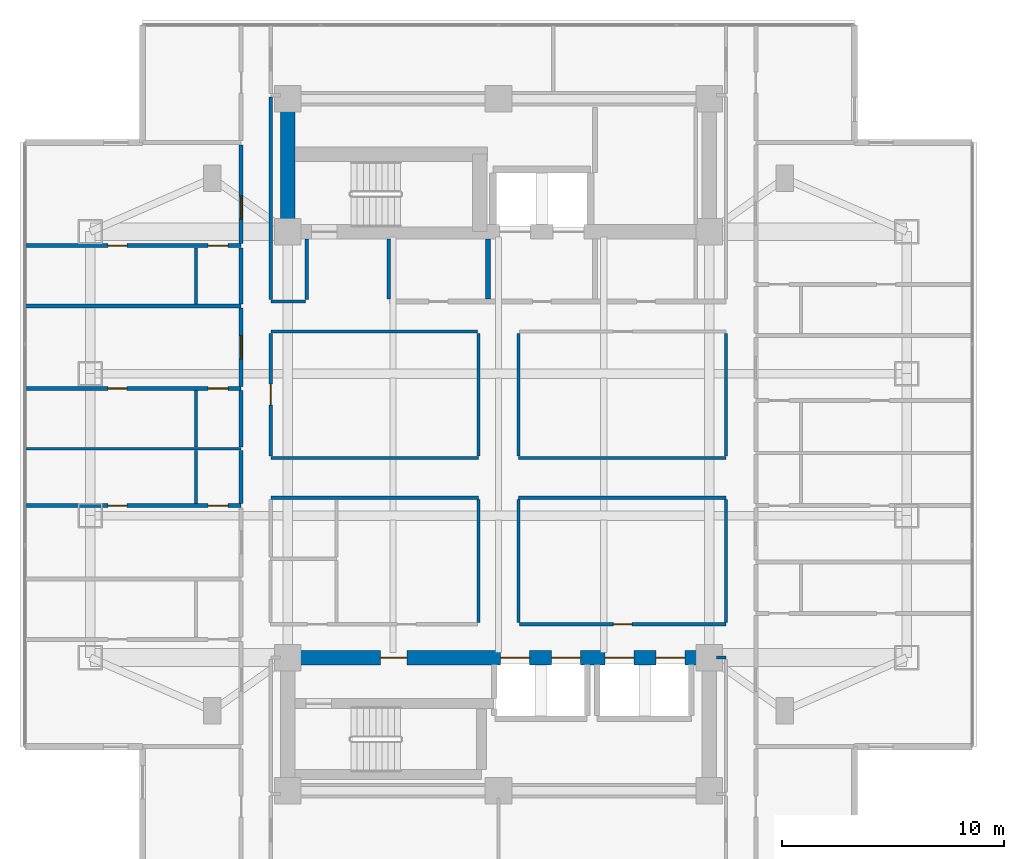
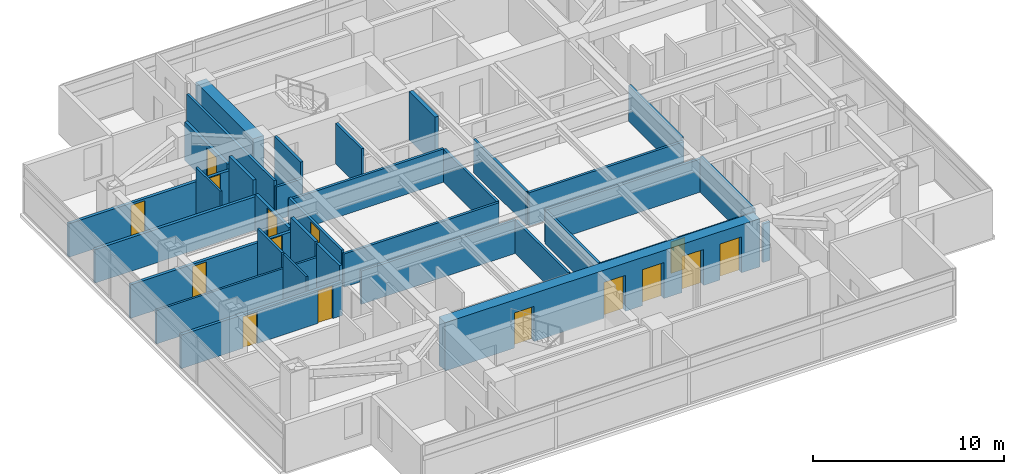
# One storey, part 13 of 24: 34 walls, 15 doors, 15 openings.
"""IFC4 building model written with IfcOpenShell, lengths in metres."""

import ifcopenshell
import ifcopenshell.guid

model = None  # the IFC model being written
_history = None  # IfcOwnerHistory: only IFC2X3 demands one
_inside = {}  # id of a spatial element -> (the spatial element, [elements in it])
_under = {}  # id of a project, library or spatial element -> (it, [spatial elements below it])
_declared = {}  # id of a project -> (the project, [libraries it declares])
_typed = {}  # id of a type object -> (the type object, [elements of that type])
_made_of = {}  # id of a material, layer set ... -> (it, [elements and type objects made of it])


def new_model(schema):
    """Start an empty IFC model of exactly this schema.

    Asked for "IFC4X3", IfcOpenShell would pick the latest addendum, in which some entities
    have other attributes; the version numbers below select the first issue.
    IFC2X3 requires an IfcOwnerHistory on every rooted entity: one is made here for all.
    """
    global model, _history
    if schema == "IFC4X3":
        model = ifcopenshell.file(schema_version=(4, 3, 0, 0))
    else:
        model = ifcopenshell.file(schema=schema)
    _inside.clear()
    _under.clear()
    _declared.clear()
    _typed.clear()
    _made_of.clear()
    _history = None
    if model.schema == "IFC2X3":
        org = make("IfcOrganization", Name="unknown")
        user = make(
            "IfcPersonAndOrganization",
            ThePerson=make("IfcPerson", FamilyName="unknown"),
            TheOrganization=org,
        )
        app = make(
            "IfcApplication",
            ApplicationDeveloper=org,
            Version="unknown",
            ApplicationFullName="unknown",
            ApplicationIdentifier="unknown",
        )
        _history = make(
            "IfcOwnerHistory",
            OwningUser=user,
            OwningApplication=app,
            ChangeAction="ADDED",
            CreationDate=0,
        )
    return model


def make(cls, **values):
    """One entity of the class cls with the attributes given. An attribute that is None is left unset."""
    return model.create_entity(
        cls, **{name: value for name, value in values.items() if value is not None}
    )


def rooted(cls, **values):
    """An entity with a GlobalId (a new one), such as an element, a storey or a relation."""
    return make(cls, GlobalId=ifcopenshell.guid.new(), OwnerHistory=_history, **values)


def si_unit(unit_type, name, prefix=None):
    """IfcSIUnit, for example si_unit("LENGTHUNIT", "METRE", prefix="MILLI")."""
    return make("IfcSIUnit", UnitType=unit_type, Prefix=prefix, Name=name)


def assignment(units):
    """IfcUnitAssignment: the units of a project."""
    return None if units is None else make("IfcUnitAssignment", Units=units)


def point(xyz):
    """IfcCartesianPoint."""
    return None if xyz is None else make("IfcCartesianPoint", Coordinates=xyz)


def direction(xyz):
    """IfcDirection."""
    return None if xyz is None else make("IfcDirection", DirectionRatios=xyz)


def frame(location, z_axis=None, x_axis=None):
    """IfcAxis2Placement3D, a coordinate frame: its origin and axes. An axis left out is left unset."""
    return make(
        "IfcAxis2Placement3D",
        Location=point(location),
        Axis=direction(z_axis),
        RefDirection=direction(x_axis),
    )


def frame_2d(location, x_axis=None):
    """IfcAxis2Placement2D, a coordinate frame in the plane: its origin and x axis."""
    return make(
        "IfcAxis2Placement2D", Location=point(location), RefDirection=direction(x_axis)
    )


def origin():
    """The frame at (0, 0, 0) with its axes left unset."""
    return frame((0.0, 0.0, 0.0))


def place(relative_to, where):
    """IfcLocalPlacement: puts the frame where relative to a parent placement (None: the world)."""
    return make(
        "IfcLocalPlacement", PlacementRelTo=relative_to, RelativePlacement=where
    )


def context(
    kind, dimensions, precision=None, world=None, true_north=None, identifier=None
):
    """IfcGeometricRepresentationContext, for example the 3D "Model" context."""
    return make(
        "IfcGeometricRepresentationContext",
        ContextIdentifier=identifier,
        ContextType=kind,
        CoordinateSpaceDimension=dimensions,
        Precision=precision,
        WorldCoordinateSystem=world,
        TrueNorth=true_north,
    )


def subcontext(parent, identifier, kind, view, scale=None):
    """IfcGeometricRepresentationSubContext, for example "Body" below "Model"."""
    return make(
        "IfcGeometricRepresentationSubContext",
        ContextIdentifier=identifier,
        ContextType=kind,
        ParentContext=parent,
        TargetScale=scale,
        TargetView=view,
    )


def project(units=None, contexts=None):
    """IfcProject with its units and contexts."""
    return rooted(
        "IfcProject",
        Name="project",
        RepresentationContexts=contexts,
        UnitsInContext=assignment(units),
    )


def spatial(cls, under=None, at=None, **own):
    """A site, building, storey or space (cls), placed at a placement, below another one or the project."""
    s = rooted(cls, ObjectPlacement=at, **own)
    if under is not None:
        _under.setdefault(under.id(), (under, []))[1].append(s)
    return s


def profile(cls, at=None, kind="AREA", **sizes):
    """A parametric profile (cls). Its sizes go by their IFC names, for example OverallWidth=200.0."""
    return make(cls, ProfileType=kind, Position=at, **sizes)


def rectangle(**sizes):
    """IfcRectangleProfileDef."""
    return profile("IfcRectangleProfileDef", **sizes)


def extrude(swept, where, along, depth):
    """IfcExtrudedAreaSolid: the profile swept, set in the frame where, extruded along a direction by depth."""
    return make(
        "IfcExtrudedAreaSolid",
        SweptArea=swept,
        Position=where,
        ExtrudedDirection=direction(along),
        Depth=depth,
    )


def shape(context_of_items, identifier, shape_type, items):
    """IfcShapeRepresentation: the items that make up one representation, for example the "Body"."""
    return make(
        "IfcShapeRepresentation",
        ContextOfItems=context_of_items,
        RepresentationIdentifier=identifier,
        RepresentationType=shape_type,
        Items=items,
    )


def material(Name=None, Category=None):
    """IfcMaterial."""
    return make("IfcMaterial", Name=Name, Category=Category)


def layer(
    of_material, thickness, ventilated=None, Name=None, Category=None, Priority=None
):
    """IfcMaterialLayer: one layer of a wall or slab, of a material (None: an air gap)."""
    return make(
        "IfcMaterialLayer",
        Material=of_material,
        LayerThickness=thickness,
        IsVentilated=ventilated,
        Name=Name,
        Category=Category,
        Priority=Priority,
    )


def layer_set(layers, Name=None):
    """IfcMaterialLayerSet."""
    return make("IfcMaterialLayerSet", MaterialLayers=layers, LayerSetName=Name)


def made_of(thing, what):
    """Note that an element or type object is made of a material, layer set ...; save() writes the relation."""
    if what is not None:
        _made_of.setdefault(what.id(), (what, []))[1].append(thing)
    return thing


def type_object(cls, material=None, **own):
    """A type object (cls), such as IfcWallType, which elements share."""
    return made_of(rooted(cls, **own), material)


def element(
    cls,
    number,
    at=None,
    inside=None,
    cuts=None,
    type_object=None,
    material=None,
    context=None,
    identifier="Body",
    shape_type=None,
    held_by="IfcProductDefinitionShape",
    body=None,
    shapes=None,
    **own,
):
    """One element of the class cls, such as IfcWall. Its Tag is "e" and its number.

    at: its placement. inside: the storey or other place that contains it. cuts: it is an
    opening in that element (IfcRelVoidsElement). A single representation is given by context,
    identifier, shape_type and body (its items); several are given by shapes. held_by: the class
    of the entity that holds the representations. save() writes the other relations.
    """
    e = rooted(cls, Tag="e%d" % number, ObjectPlacement=at, **own)
    if body is not None:
        shapes = [shape(context, identifier, shape_type, body)]
    if shapes is not None:
        e.Representation = make(held_by, Representations=shapes)
    if inside is not None:
        _inside.setdefault(inside.id(), (inside, []))[1].append(e)
    if cuts is not None:
        rooted(
            "IfcRelVoidsElement", RelatingBuildingElement=cuts, RelatedOpeningElement=e
        )
    if type_object is not None:
        _typed.setdefault(type_object.id(), (type_object, []))[1].append(e)
    return made_of(e, material)


def fill(opening, filler):
    """IfcRelFillsElement: the door or window that sits in an opening."""
    return rooted(
        "IfcRelFillsElement",
        RelatingOpeningElement=opening,
        RelatedBuildingElement=filler,
    )


def aggregate(whole, parts):
    """IfcRelAggregates: a whole, such as a stair, and the parts it consists of."""
    return rooted("IfcRelAggregates", RelatingObject=whole, RelatedObjects=parts)


def save(model, path):
    """Write the relations noted so far, then the file.

    IfcRelAggregates (storeys below a building ...), IfcRelContainedInSpatialStructure (elements
    in a storey), IfcRelDefinesByType, IfcRelAssociatesMaterial and IfcRelDeclares: one each for
    every whole, place, type object, material and project.
    """
    for whole, parts in _under.values():
        aggregate(whole, parts)
    for where, things in _inside.values():
        rooted(
            "IfcRelContainedInSpatialStructure",
            RelatedElements=things,
            RelatingStructure=where,
        )
    for kind, things in _typed.values():
        rooted("IfcRelDefinesByType", RelatedObjects=things, RelatingType=kind)
    for what, things in _made_of.values():
        rooted("IfcRelAssociatesMaterial", RelatedObjects=things, RelatingMaterial=what)
    for by, libraries in _declared.values():
        rooted("IfcRelDeclares", RelatingContext=by, RelatedDefinitions=libraries)
    model.write(path)


model = new_model("IFC4")

# Units and contexts
model_context = context("Model", 3, precision=1e-05, world=origin(), true_north=direction((0.0, 1.0)))
body_context = subcontext(model_context, "Body", "Model", "MODEL_VIEW")
ifc_project = project(units=[si_unit("LENGTHUNIT", "METRE"), si_unit("AREAUNIT", "SQUARE_METRE"), si_unit("VOLUMEUNIT", "CUBIC_METRE"), si_unit("PLANEANGLEUNIT", "RADIAN"), si_unit("MASSUNIT", "GRAM", prefix="KILO")], contexts=[model_context])

# Site, building, storey
site_placement = place(None, origin())
site = spatial("IfcSite", under=ifc_project, at=site_placement, CompositionType="ELEMENT")
building_placement = place(site_placement, origin())
building = spatial("IfcBuilding", under=site, at=building_placement, Name="Mirazonda Arch Towers", CompositionType="ELEMENT")
storey_placement = place(building_placement, frame((0.0, 0.0, 101.60009765625)))
storey = spatial("IfcBuildingStorey", under=building, at=storey_placement, Name="L28", CompositionType="ELEMENT", Elevation=101.60009765625)

# Wall
ifc_material_1 = material(Name="Concrete C60/75", Category="concrete")
ifc_layer_1 = layer(ifc_material_1, 0.64990234375, Name="WALL-CORE-650")
ifc_layer_set_1 = layer_set([ifc_layer_1], Name="Concrete C60/75")
wall_type_1 = type_object("IfcWallType", Name="WALL-CORE-650", PredefinedType="SHEAR", material=ifc_layer_set_1)
wall_1_placement = place(storey_placement, frame((11.0, 37.60009765625, 0.0), z_axis=(0.0, 0.0, 1.0), x_axis=(0.0, 1.0, 0.0)))
element("IfcWall", 1, at=wall_1_placement, inside=storey, type_object=wall_type_1, Name="L28 T1N-W Core Shear Wall", PredefinedType="SHEAR", context=body_context, shape_type="SweptSolid", body=[
    extrude(rectangle(XDim=6.0, YDim=0.64990234375, at=frame_2d((3.0, 0.0))), origin(), (0.0, 0.0, 1.0), 3.079833984375),
])

# Wall, openings, doors
wall_2_placement = place(storey_placement, frame((11.0, 18.39990234375, 0.0), z_axis=(0.0, 0.0, 1.0), x_axis=(1.0, 0.0, 0.0)))
wall_2 = element("IfcWall", 2, at=wall_2_placement, inside=storey, type_object=wall_type_1, Name="L28 T1S-N Core Shear Wall", PredefinedType="SHEAR", context=body_context, shape_type="SweptSolid", body=[
    extrude(rectangle(XDim=19.0, YDim=0.64990234375, at=frame_2d((9.5, 0.0))), origin(), (0.0, 0.0, 1.0), 3.079833984375),
])
opening_1_placement = place(wall_2_placement, frame((4.175048828125, 0.0, 0.0)))
opening_1 = element("IfcOpeningElement", 3, at=opening_1_placement, cuts=wall_2, Name="Opening DR-117", PredefinedType="OPENING", context=body_context, shape_type="SweptSolid", body=[
    extrude(rectangle(XDim=1.199951171875, YDim=2.25, at=frame_2d((0.60009765625, 1.125))), frame((0.0, 0.3349609375, 0.0), z_axis=(0.0, -1.0, 0.0), x_axis=(1.0, 0.0, 0.0)), (0.0, 0.0, 1.0), 0.669921875),
])
opening_2_placement = place(wall_2_placement, frame((9.60009765625, 0.0, 0.0)))
opening_2 = element("IfcOpeningElement", 4, at=opening_2_placement, cuts=wall_2, Name="Opening LD-111", PredefinedType="OPENING", context=body_context, shape_type="SweptSolid", body=[
    extrude(rectangle(XDim=1.300048828125, YDim=2.300048828125, at=frame_2d((0.64990234375, 1.14990234375))), frame((0.0, 0.3349609375, 0.0), z_axis=(0.0, -1.0, 0.0), x_axis=(1.0, 0.0, 0.0)), (0.0, 0.0, 1.0), 0.669921875),
])
opening_3_placement = place(wall_2_placement, frame((11.89990234375, 0.0, 0.0)))
opening_3 = element("IfcOpeningElement", 5, at=opening_3_placement, cuts=wall_2, Name="Opening LD-111", PredefinedType="OPENING", context=body_context, shape_type="SweptSolid", body=[
    extrude(rectangle(XDim=1.300048828125, YDim=2.300048828125, at=frame_2d((0.64990234375, 1.14990234375))), frame((0.0, 0.3349609375, 0.0), z_axis=(0.0, -1.0, 0.0), x_axis=(1.0, 0.0, 0.0)), (0.0, 0.0, 1.0), 0.669921875),
])
opening_4_placement = place(wall_2_placement, frame((14.300048828125, 0.0, 0.0)))
opening_4 = element("IfcOpeningElement", 6, at=opening_4_placement, cuts=wall_2, Name="Opening LD-111", PredefinedType="OPENING", context=body_context, shape_type="SweptSolid", body=[
    extrude(rectangle(XDim=1.300048828125, YDim=2.300048828125, at=frame_2d((0.64990234375, 1.14990234375))), frame((0.0, 0.3349609375, 0.0), z_axis=(0.0, -1.0, 0.0), x_axis=(1.0, 0.0, 0.0)), (0.0, 0.0, 1.0), 0.669921875),
])
opening_5_placement = place(wall_2_placement, frame((16.60009765625, 0.0, 0.0)))
opening_5 = element("IfcOpeningElement", 7, at=opening_5_placement, cuts=wall_2, Name="Opening LD-111", PredefinedType="OPENING", context=body_context, shape_type="SweptSolid", body=[
    extrude(rectangle(XDim=1.300048828125, YDim=2.300048828125, at=frame_2d((0.64990234375, 1.14990234375))), frame((0.0, 0.3349609375, 0.0), z_axis=(0.0, -1.0, 0.0), x_axis=(1.0, 0.0, 0.0)), (0.0, 0.0, 1.0), 0.669921875),
])
ifc_material_2 = material(Name="Architectural Brushed Steel S355", Category="steel")
door_type_1 = type_object("IfcDoorType", Name="DOOR-FFL-FD90-1200", OperationType="NOTDEFINED", PredefinedType="DOOR", material=ifc_material_2)
door_1_placement = place(opening_1_placement, origin())
door_1 = element("IfcDoor", 8, at=door_1_placement, inside=storey, type_object=door_type_1, Name="L28 South Core Stair & Lift Lobby Door", OperationType="SINGLE_SWING_LEFT", OverallHeight=2.25, OverallWidth=1.199951171875, PredefinedType="DOOR", context=body_context, shape_type="SweptSolid", body=[
    extrude(rectangle(XDim=1.199951171875, YDim=2.25, at=frame_2d((0.60009765625, 1.125))), frame((0.0, 0.02490234375, 0.0), z_axis=(0.0, -1.0, 0.0), x_axis=(1.0, 0.0, 0.0)), (0.0, 0.0, 1.0), 0.050048828125),
])
fill(opening_1, door_1)
door_type_2 = type_object("IfcDoorType", Name="DOOR-LIFT-LAND-1300", OperationType="NOTDEFINED", PredefinedType="DOOR", material=ifc_material_2)
door_2_placement = place(opening_2_placement, origin())
door_2 = element("IfcDoor", 9, at=door_2_placement, inside=storey, type_object=door_type_2, Name="L28 Lift Landing Sliding Door PL-T1M1", OperationType="DOUBLE_DOOR_SLIDING", OverallHeight=2.300048828125, OverallWidth=1.300048828125, PredefinedType="DOOR", context=body_context, shape_type="SweptSolid", body=[
    extrude(rectangle(XDim=1.300048828125, YDim=2.300048828125, at=frame_2d((0.64990234375, 1.14990234375))), frame((0.0, 0.02490234375, 0.0), z_axis=(0.0, -1.0, 0.0), x_axis=(1.0, 0.0, 0.0)), (0.0, 0.0, 1.0), 0.050048828125),
])
fill(opening_2, door_2)
door_3_placement = place(opening_3_placement, origin())
door_3 = element("IfcDoor", 10, at=door_3_placement, inside=storey, type_object=door_type_2, Name="L28 Lift Landing Sliding Door PL-T1M2", OperationType="DOUBLE_DOOR_SLIDING", OverallHeight=2.300048828125, OverallWidth=1.300048828125, PredefinedType="DOOR", context=body_context, shape_type="SweptSolid", body=[
    extrude(rectangle(XDim=1.300048828125, YDim=2.300048828125, at=frame_2d((0.64990234375, 1.14990234375))), frame((0.0, 0.02490234375, 0.0), z_axis=(0.0, -1.0, 0.0), x_axis=(1.0, 0.0, 0.0)), (0.0, 0.0, 1.0), 0.050048828125),
])
fill(opening_3, door_3)
door_4_placement = place(opening_4_placement, origin())
door_4 = element("IfcDoor", 11, at=door_4_placement, inside=storey, type_object=door_type_2, Name="L28 Lift Landing Sliding Door PL-T1H1", OperationType="DOUBLE_DOOR_SLIDING", OverallHeight=2.300048828125, OverallWidth=1.300048828125, PredefinedType="DOOR", context=body_context, shape_type="SweptSolid", body=[
    extrude(rectangle(XDim=1.300048828125, YDim=2.300048828125, at=frame_2d((0.64990234375, 1.14990234375))), frame((0.0, 0.02490234375, 0.0), z_axis=(0.0, -1.0, 0.0), x_axis=(1.0, 0.0, 0.0)), (0.0, 0.0, 1.0), 0.050048828125),
])
fill(opening_4, door_4)
door_5_placement = place(opening_5_placement, origin())
door_5 = element("IfcDoor", 12, at=door_5_placement, inside=storey, type_object=door_type_2, Name="L28 Lift Landing Sliding Door PL-T1H2", OperationType="DOUBLE_DOOR_SLIDING", OverallHeight=2.300048828125, OverallWidth=1.300048828125, PredefinedType="DOOR", context=body_context, shape_type="SweptSolid", body=[
    extrude(rectangle(XDim=1.300048828125, YDim=2.300048828125, at=frame_2d((0.64990234375, 1.14990234375))), frame((0.0, 0.02490234375, 0.0), z_axis=(0.0, -1.0, 0.0), x_axis=(1.0, 0.0, 0.0)), (0.0, 0.0, 1.0), 0.050048828125),
])
fill(opening_5, door_5)

# Walls
ifc_material_3 = material(Name="Concrete C40/50", Category="concrete")
ifc_layer_2 = layer(ifc_material_3, 0.219970703125, Name="WALL-FFL-220")
ifc_layer_set_2 = layer_set([ifc_layer_2], Name="Concrete C40/50")
wall_type_2 = type_object("IfcWallType", Name="WALL-FFL-220", PredefinedType="SOLIDWALL", material=ifc_layer_set_2)
wall_3_placement = place(storey_placement, frame((20.02490234375, 34.570068359375, 0.0), z_axis=(0.0, 0.0, 1.0), x_axis=(0.0, 1.0, 0.0)))
element("IfcWall", 13, at=wall_3_placement, inside=storey, type_object=wall_type_2, Name="L28 Interior Partition 095", PredefinedType="SOLIDWALL", context=body_context, shape_type="SweptSolid", body=[
    extrude(rectangle(XDim=2.7099609375, YDim=0.219970703125, at=frame_2d((1.35498046875, 0.0))), origin(), (0.0, 0.0, 1.0), 3.079833984375),
])
ifc_material_4 = material(Name="Fire-Rated Gypsum Stud Partition")
ifc_layer_3 = layer(ifc_material_4, 0.14990234375, Name="WALL-PART-CORR-150")
ifc_layer_set_3 = layer_set([ifc_layer_3], Name="Fire-Rated Gypsum Stud Partition")
wall_type_3 = type_object("IfcWallType", Name="WALL-PART-CORR-150", PredefinedType="PARTITIONING", material=ifc_layer_set_3)
wall_4_placement = place(storey_placement, frame((30.320068359375, 18.39990234375, 0.0), z_axis=(0.0, 0.0, 1.0), x_axis=(1.0, 0.0, 0.0)))
element("IfcWall", 14, at=wall_4_placement, inside=storey, type_object=wall_type_3, Name="L28 Interior Partition 013", PredefinedType="PARTITIONING", context=body_context, shape_type="SweptSolid", body=[
    extrude(rectangle(XDim=0.43994140625, YDim=0.14990234375, at=frame_2d((0.219970703125, 0.0))), origin(), (0.0, 0.0, 1.0), 2.455810546875),
])

# Wall, opening, door
wall_5_placement = place(storey_placement, frame((21.43994140625, 19.89990234375, 0.0), z_axis=(0.0, 0.0, 1.0), x_axis=(1.0, 0.0, 0.0)))
wall_5 = element("IfcWall", 15, at=wall_5_placement, inside=storey, type_object=wall_type_3, Name="L28 Interior Partition 017", PredefinedType="PARTITIONING", context=body_context, shape_type="SweptSolid", body=[
    extrude(rectangle(XDim=9.320068359375, YDim=0.14990234375, at=frame_2d((4.66015625, 0.0))), origin(), (0.0, 0.0, 1.0), 2.1240234375),
])
opening_6_placement = place(wall_5_placement, frame((4.235107421875, 0.0, 0.0)))
opening_6 = element("IfcOpeningElement", 16, at=opening_6_placement, cuts=wall_5, Name="Opening DR-128", PredefinedType="OPENING", context=body_context, shape_type="SweptSolid", body=[
    extrude(rectangle(XDim=0.85009765625, YDim=2.010009765625, at=frame_2d((0.425048828125, 1.0048828125))), frame((0.0, 0.0849609375, 0.0), z_axis=(0.0, -1.0, 0.0), x_axis=(1.0, 0.0, 0.0)), (0.0, 0.0, 1.0), 0.169921875),
])
door_type_3 = type_object("IfcDoorType", Name="DOOR-RISER-FD60-850", OperationType="NOTDEFINED", PredefinedType="DOOR", material=ifc_material_2)
door_6_placement = place(opening_6_placement, origin())
door_6 = element("IfcDoor", 17, at=door_6_placement, inside=storey, type_object=door_type_3, Name="L28 L28 South-East Cruciform Lounge Door", OperationType="SINGLE_SWING_RIGHT", OverallHeight=2.010009765625, OverallWidth=0.85009765625, PredefinedType="DOOR", context=body_context, shape_type="SweptSolid", body=[
    extrude(rectangle(XDim=0.85009765625, YDim=2.010009765625, at=frame_2d((0.425048828125, 1.0048828125))), frame((0.0, 0.02490234375, 0.0), z_axis=(0.0, -1.0, 0.0), x_axis=(1.0, 0.0, 0.0)), (0.0, 0.0, 1.0), 0.050048828125),
])
fill(opening_6, door_6)

# Walls
for number, where, z_axis, x_axis, name in (
    (18, (10.239990234375, 25.60009765625, 0.0), (0.0, 0.0, 1.0), (1.0, 0.0, 0.0), "L28 Interior Partition 031"),
    (19, (21.39990234375, 25.60009765625, 0.0), (0.0, 0.0, 1.0), (1.0, 0.0, 0.0), "L28 Interior Partition 032"),
    (20, (10.239990234375, 27.39990234375, 0.0), (0.0, 0.0, 1.0), (1.0, 0.0, 0.0), "L28 Interior Partition 036"),
    (21, (21.39990234375, 27.39990234375, 0.0), (0.0, 0.0, 1.0), (1.0, 0.0, 0.0), "L28 Interior Partition 037"),
):
    element("IfcWall", number, at=place(storey_placement, frame(where, z_axis=z_axis, x_axis=x_axis)), inside=storey, type_object=wall_type_3, Name=name, PredefinedType="PARTITIONING", context=body_context, shape_type="SweptSolid", body=[
        extrude(rectangle(XDim=9.360107421875, YDim=0.14990234375, at=frame_2d((4.68017578125, 0.0))), origin(), (0.0, 0.0, 1.0), 2.1240234375),
    ])
wall_6_placement = place(storey_placement, frame((10.239990234375, 33.10009765625, 0.0), z_axis=(0.0, 0.0, 1.0), x_axis=(1.0, 0.0, 0.0)))
element("IfcWall", 22, at=wall_6_placement, inside=storey, type_object=wall_type_3, Name="L28 Interior Partition 048", PredefinedType="PARTITIONING", context=body_context, shape_type="SweptSolid", body=[
    extrude(rectangle(XDim=9.320068359375, YDim=0.14990234375, at=frame_2d((4.66015625, 0.0))), origin(), (0.0, 0.0, 1.0), 2.1240234375),
])
wall_7_placement = place(storey_placement, frame((10.239990234375, 34.449951171875, 0.0), z_axis=(0.0, 0.0, 1.0), x_axis=(1.0, 0.0, 0.0)))
element("IfcWall", 23, at=wall_7_placement, inside=storey, type_object=wall_type_3, Name="L28 Interior Partition 052", PredefinedType="PARTITIONING", context=body_context, shape_type="SweptSolid", body=[
    extrude(rectangle(XDim=1.56005859375, YDim=0.14990234375, at=frame_2d((0.780029296875, 0.0))), origin(), (0.0, 0.0, 1.0), 2.1240234375),
])

# Wall, opening, door
wall_8_placement = place(storey_placement, frame((10.239990234375, 27.485107421875, 0.0), z_axis=(0.0, 0.0, 1.0), x_axis=(0.0, 1.0, 0.0)))
wall_8 = element("IfcWall", 24, at=wall_8_placement, inside=storey, type_object=wall_type_3, Name="L28 Interior Partition 085", PredefinedType="PARTITIONING", context=body_context, shape_type="SweptSolid", body=[
    extrude(rectangle(XDim=5.52978515625, YDim=0.14990234375, at=frame_2d((2.764892578125, 0.0))), origin(), (0.0, 0.0, 1.0), 2.298828125),
])
opening_7_placement = place(wall_8_placement, frame((2.2900390625, 0.0, 0.0)))
opening_7 = element("IfcOpeningElement", 25, at=opening_7_placement, cuts=wall_8, Name="Opening DR-104", PredefinedType="OPENING", context=body_context, shape_type="SweptSolid", body=[
    extrude(rectangle(XDim=0.949951171875, YDim=2.14990234375, at=frame_2d((0.47509765625, 1.074951171875))), frame((0.0, 0.0849609375, 0.0), z_axis=(0.0, -1.0, 0.0), x_axis=(1.0, 0.0, 0.0)), (0.0, 0.0, 1.0), 0.169921875),
])
door_type_4 = type_object("IfcDoorType", Name="DOOR-ROOM-950", OperationType="NOTDEFINED", PredefinedType="DOOR", material=ifc_material_2)
door_7_placement = place(opening_7_placement, origin())
door_7 = element("IfcDoor", 26, at=door_7_placement, inside=storey, type_object=door_type_4, Name="L28 L28 West Courtyard Reading Salon Door", OperationType="SINGLE_SWING_LEFT", OverallHeight=2.14990234375, OverallWidth=0.949951171875, PredefinedType="DOOR", context=body_context, shape_type="SweptSolid", body=[
    extrude(rectangle(XDim=0.949951171875, YDim=2.14990234375, at=frame_2d((0.47509765625, 1.074951171875))), frame((0.0, 0.02490234375, 0.0), z_axis=(0.0, -1.0, 0.0), x_axis=(1.0, 0.0, 0.0)), (0.0, 0.0, 1.0), 0.050048828125),
])
fill(opening_7, door_7)

# Walls
wall_9_placement = place(storey_placement, frame((10.239990234375, 34.534912109375, 0.0), z_axis=(0.0, 0.0, 1.0), x_axis=(0.0, 1.0, 0.0)))
element("IfcWall", 27, at=wall_9_placement, inside=storey, type_object=wall_type_3, Name="L28 Interior Partition 086", PredefinedType="PARTITIONING", context=body_context, shape_type="SweptSolid", body=[
    extrude(rectangle(XDim=9.130126953125, YDim=0.14990234375, at=frame_2d((4.56494140625, 0.0))), origin(), (0.0, 0.0, 1.0), 2.455810546875),
])
wall_10_placement = place(storey_placement, frame((11.85009765625, 34.534912109375, 0.0), z_axis=(0.0, 0.0, 1.0), x_axis=(0.0, 1.0, 0.0)))
element("IfcWall", 28, at=wall_10_placement, inside=storey, type_object=wall_type_3, Name="L28 Interior Partition 088", PredefinedType="PARTITIONING", context=body_context, shape_type="SweptSolid", body=[
    extrude(rectangle(XDim=2.7451171875, YDim=0.14990234375, at=frame_2d((1.37255859375, 0.0))), origin(), (0.0, 0.0, 1.0), 3.079833984375),
])
wall_11_placement = place(storey_placement, frame((15.550048828125, 34.570068359375, 0.0), z_axis=(0.0, 0.0, 1.0), x_axis=(0.0, 1.0, 0.0)))
element("IfcWall", 29, at=wall_11_placement, inside=storey, type_object=wall_type_3, Name="L28 Interior Partition 091", PredefinedType="PARTITIONING", context=body_context, shape_type="SweptSolid", body=[
    extrude(rectangle(XDim=2.7099609375, YDim=0.14990234375, at=frame_2d((1.35498046875, 0.0))), origin(), (0.0, 0.0, 1.0), 2.60888671875),
])
for number, where, z_axis, x_axis, name in (
    (30, (19.60009765625, 19.985107421875, 0.0), (0.0, 0.0, 1.0), (0.0, 1.0, 0.0), "L28 Interior Partition 092"),
    (31, (19.60009765625, 27.485107421875, 0.0), (0.0, 0.0, 1.0), (0.0, 1.0, 0.0), "L28 Interior Partition 093"),
    (32, (21.39990234375, 19.985107421875, 0.0), (0.0, 0.0, 1.0), (0.0, 1.0, 0.0), "L28 Interior Partition 100"),
    (33, (21.39990234375, 27.485107421875, 0.0), (0.0, 0.0, 1.0), (0.0, 1.0, 0.0), "L28 Interior Partition 101"),
):
    element("IfcWall", number, at=place(storey_placement, frame(where, z_axis=z_axis, x_axis=x_axis)), inside=storey, type_object=wall_type_3, Name=name, PredefinedType="PARTITIONING", context=body_context, shape_type="SweptSolid", body=[
        extrude(rectangle(XDim=5.52978515625, YDim=0.14990234375, at=frame_2d((2.764892578125, 0.0))), origin(), (0.0, 0.0, 1.0), 2.1240234375),
    ])
for number, where, z_axis, x_axis, name in (
    (34, (30.760009765625, 19.985107421875, 0.0), (0.0, 0.0, 1.0), (0.0, 1.0, 0.0), "L28 Interior Partition 113"),
    (35, (30.760009765625, 27.485107421875, 0.0), (0.0, 0.0, 1.0), (0.0, 1.0, 0.0), "L28 Interior Partition 114"),
):
    element("IfcWall", number, at=place(storey_placement, frame(where, z_axis=z_axis, x_axis=x_axis)), inside=storey, type_object=wall_type_3, Name=name, PredefinedType="PARTITIONING", context=body_context, shape_type="SweptSolid", body=[
        extrude(rectangle(XDim=5.52978515625, YDim=0.14990234375, at=frame_2d((2.764892578125, 0.0))), origin(), (0.0, 0.0, 1.0), 2.298828125),
    ])

# Wall, openings, doors
ifc_material_5 = material(Name="Fire-Rated Gypsum Twin-Stud Assembly")
ifc_layer_4 = layer(ifc_material_5, 0.179931640625, Name="WALL-PART-DEMISE-180")
ifc_layer_set_4 = layer_set([ifc_layer_4], Name="Fire-Rated Gypsum Twin-Stud Assembly")
wall_type_4 = type_object("IfcWallType", Name="WALL-PART-DEMISE-180", PredefinedType="PARTITIONING", material=ifc_layer_set_4)
wall_12_placement = place(storey_placement, frame((-0.85009765625, 25.248046875, 0.0), z_axis=(0.0, 0.0, 1.0), x_axis=(1.0, 0.0, 0.0)))
wall_12 = element("IfcWall", 36, at=wall_12_placement, inside=storey, type_object=wall_type_4, Name="L28 Interior Partition 029", PredefinedType="PARTITIONING", context=body_context, shape_type="SweptSolid", body=[
    extrude(rectangle(XDim=9.75, YDim=0.179931640625, at=frame_2d((4.875, 0.0))), origin(), (0.0, 0.0, 1.0), 2.14501953125),
])
opening_8_placement = place(wall_12_placement, frame((3.75, 0.0, 0.0)))
opening_8 = element("IfcOpeningElement", 37, at=opening_8_placement, cuts=wall_12, Name="Opening DR-128", PredefinedType="OPENING", context=body_context, shape_type="SweptSolid", body=[
    extrude(rectangle(XDim=0.85009765625, YDim=2.010009765625, at=frame_2d((0.425048828125, 1.0048828125))), frame((0.0, 0.099853515625, 0.0), z_axis=(0.0, -1.0, 0.0), x_axis=(1.0, 0.0, 0.0)), (0.0, 0.0, 1.0), 0.199951171875),
])
opening_9_placement = place(wall_12_placement, frame((8.260009765625, 0.0, 0.0)))
opening_9 = element("IfcOpeningElement", 38, at=opening_9_placement, cuts=wall_12, Name="Opening DR-120", PredefinedType="OPENING", context=body_context, shape_type="SweptSolid", body=[
    extrude(rectangle(XDim=0.89990234375, YDim=2.10009765625, at=frame_2d((0.449951171875, 1.050048828125))), frame((0.0, 0.099853515625, 0.0), z_axis=(0.0, -1.0, 0.0), x_axis=(1.0, 0.0, 0.0)), (0.0, 0.0, 1.0), 0.199951171875),
])
door_8_placement = place(opening_8_placement, origin())
door_8 = element("IfcDoor", 39, at=door_8_placement, inside=storey, type_object=door_type_3, Name="L28 Suite Bedroom 2 Door", OperationType="SINGLE_SWING_RIGHT", OverallHeight=2.010009765625, OverallWidth=0.85009765625, PredefinedType="DOOR", context=body_context, shape_type="SweptSolid", body=[
    extrude(rectangle(XDim=0.85009765625, YDim=2.010009765625, at=frame_2d((0.425048828125, 1.0048828125))), frame((0.0, 0.02490234375, 0.0), z_axis=(0.0, -1.0, 0.0), x_axis=(1.0, 0.0, 0.0)), (0.0, 0.0, 1.0), 0.050048828125),
])
fill(opening_8, door_8)
door_type_5 = type_object("IfcDoorType", Name="DOOR-WC-900", OperationType="NOTDEFINED", PredefinedType="DOOR", material=ifc_material_2)
door_9_placement = place(opening_9_placement, origin())
door_9 = element("IfcDoor", 40, at=door_9_placement, inside=storey, type_object=door_type_5, Name="L28 Suite En-Suite Bathroom 2 Door", OperationType="SINGLE_SWING_LEFT", OverallHeight=2.10009765625, OverallWidth=0.89990234375, PredefinedType="DOOR", context=body_context, shape_type="SweptSolid", body=[
    extrude(rectangle(XDim=0.89990234375, YDim=2.10009765625, at=frame_2d((0.449951171875, 1.050048828125))), frame((0.0, 0.02490234375, 0.0), z_axis=(0.0, -1.0, 0.0), x_axis=(1.0, 0.0, 0.0)), (0.0, 0.0, 1.0), 0.050048828125),
])
fill(opening_9, door_9)

wall_13_placement = place(storey_placement, frame((-0.85009765625, 30.531005859375, 0.0), z_axis=(0.0, 0.0, 1.0), x_axis=(1.0, 0.0, 0.0)))
wall_13 = element("IfcWall", 41, at=wall_13_placement, inside=storey, type_object=wall_type_4, Name="L28 Interior Partition 044", PredefinedType="PARTITIONING", context=body_context, shape_type="SweptSolid", body=[
    extrude(rectangle(XDim=9.75, YDim=0.179931640625, at=frame_2d((4.875, 0.0))), origin(), (0.0, 0.0, 1.0), 2.14501953125),
])
opening_10_placement = place(wall_13_placement, frame((3.75, 0.0, 0.0)))
opening_10 = element("IfcOpeningElement", 42, at=opening_10_placement, cuts=wall_13, Name="Opening DR-128", PredefinedType="OPENING", context=body_context, shape_type="SweptSolid", body=[
    extrude(rectangle(XDim=0.85009765625, YDim=2.010009765625, at=frame_2d((0.425048828125, 1.0048828125))), frame((0.0, 0.099853515625, 0.0), z_axis=(0.0, -1.0, 0.0), x_axis=(1.0, 0.0, 0.0)), (0.0, 0.0, 1.0), 0.199951171875),
])
opening_11_placement = place(wall_13_placement, frame((8.260009765625, 0.0, 0.0)))
opening_11 = element("IfcOpeningElement", 43, at=opening_11_placement, cuts=wall_13, Name="Opening DR-120", PredefinedType="OPENING", context=body_context, shape_type="SweptSolid", body=[
    extrude(rectangle(XDim=0.89990234375, YDim=2.10009765625, at=frame_2d((0.449951171875, 1.050048828125))), frame((0.0, 0.099853515625, 0.0), z_axis=(0.0, -1.0, 0.0), x_axis=(1.0, 0.0, 0.0)), (0.0, 0.0, 1.0), 0.199951171875),
])
door_10_placement = place(opening_10_placement, origin())
door_10 = element("IfcDoor", 44, at=door_10_placement, inside=storey, type_object=door_type_3, Name="L28 Suite Bedroom 3 Door", OperationType="SINGLE_SWING_LEFT", OverallHeight=2.010009765625, OverallWidth=0.85009765625, PredefinedType="DOOR", context=body_context, shape_type="SweptSolid", body=[
    extrude(rectangle(XDim=0.85009765625, YDim=2.010009765625, at=frame_2d((0.425048828125, 1.0048828125))), frame((0.0, 0.02490234375, 0.0), z_axis=(0.0, -1.0, 0.0), x_axis=(1.0, 0.0, 0.0)), (0.0, 0.0, 1.0), 0.050048828125),
])
fill(opening_10, door_10)
door_11_placement = place(opening_11_placement, origin())
door_11 = element("IfcDoor", 45, at=door_11_placement, inside=storey, type_object=door_type_5, Name="L28 Suite En-Suite Bathroom 3 Door", OperationType="SINGLE_SWING_RIGHT", OverallHeight=2.10009765625, OverallWidth=0.89990234375, PredefinedType="DOOR", context=body_context, shape_type="SweptSolid", body=[
    extrude(rectangle(XDim=0.89990234375, YDim=2.10009765625, at=frame_2d((0.449951171875, 1.050048828125))), frame((0.0, 0.02490234375, 0.0), z_axis=(0.0, -1.0, 0.0), x_axis=(1.0, 0.0, 0.0)), (0.0, 0.0, 1.0), 0.050048828125),
])
fill(opening_11, door_11)

# Wall
wall_14_placement = place(storey_placement, frame((-0.85009765625, 34.248046875, 0.0), z_axis=(0.0, 0.0, 1.0), x_axis=(1.0, 0.0, 0.0)))
element("IfcWall", 46, at=wall_14_placement, inside=storey, type_object=wall_type_4, Name="L28 Interior Partition 051", PredefinedType="PARTITIONING", context=body_context, shape_type="SweptSolid", body=[
    extrude(rectangle(XDim=9.75, YDim=0.179931640625, at=frame_2d((4.875, 0.0))), origin(), (0.0, 0.0, 1.0), 2.14501953125),
])

# Wall, openings, doors
wall_15_placement = place(storey_placement, frame((-0.85009765625, 36.968017578125, 0.0), z_axis=(0.0, 0.0, 1.0), x_axis=(1.0, 0.0, 0.0)))
wall_15 = element("IfcWall", 47, at=wall_15_placement, inside=storey, type_object=wall_type_4, Name="L28 Interior Partition 057", PredefinedType="PARTITIONING", context=body_context, shape_type="SweptSolid", body=[
    extrude(rectangle(XDim=9.75, YDim=0.179931640625, at=frame_2d((4.875, 0.0))), origin(), (0.0, 0.0, 1.0), 2.14501953125),
])
opening_12_placement = place(wall_15_placement, frame((3.75, 0.0, 0.0)))
opening_12 = element("IfcOpeningElement", 48, at=opening_12_placement, cuts=wall_15, Name="Opening DR-128", PredefinedType="OPENING", context=body_context, shape_type="SweptSolid", body=[
    extrude(rectangle(XDim=0.85009765625, YDim=2.010009765625, at=frame_2d((0.425048828125, 1.0048828125))), frame((0.0, 0.099853515625, 0.0), z_axis=(0.0, -1.0, 0.0), x_axis=(1.0, 0.0, 0.0)), (0.0, 0.0, 1.0), 0.199951171875),
])
opening_13_placement = place(wall_15_placement, frame((8.260009765625, 0.0, 0.0)))
opening_13 = element("IfcOpeningElement", 49, at=opening_13_placement, cuts=wall_15, Name="Opening DR-120", PredefinedType="OPENING", context=body_context, shape_type="SweptSolid", body=[
    extrude(rectangle(XDim=0.89990234375, YDim=2.10009765625, at=frame_2d((0.449951171875, 1.050048828125))), frame((0.0, 0.099853515625, 0.0), z_axis=(0.0, -1.0, 0.0), x_axis=(1.0, 0.0, 0.0)), (0.0, 0.0, 1.0), 0.199951171875),
])
door_12_placement = place(opening_12_placement, origin())
door_12 = element("IfcDoor", 50, at=door_12_placement, inside=storey, type_object=door_type_3, Name="L28 Suite Bedroom 4 Door", OperationType="SINGLE_SWING_RIGHT", OverallHeight=2.010009765625, OverallWidth=0.85009765625, PredefinedType="DOOR", context=body_context, shape_type="SweptSolid", body=[
    extrude(rectangle(XDim=0.85009765625, YDim=2.010009765625, at=frame_2d((0.425048828125, 1.0048828125))), frame((0.0, 0.02490234375, 0.0), z_axis=(0.0, -1.0, 0.0), x_axis=(1.0, 0.0, 0.0)), (0.0, 0.0, 1.0), 0.050048828125),
])
fill(opening_12, door_12)
door_13_placement = place(opening_13_placement, origin())
door_13 = element("IfcDoor", 51, at=door_13_placement, inside=storey, type_object=door_type_5, Name="L28 Suite En-Suite Bathroom 4 Door", OperationType="SINGLE_SWING_LEFT", OverallHeight=2.10009765625, OverallWidth=0.89990234375, PredefinedType="DOOR", context=body_context, shape_type="SweptSolid", body=[
    extrude(rectangle(XDim=0.89990234375, YDim=2.10009765625, at=frame_2d((0.449951171875, 1.050048828125))), frame((0.0, 0.02490234375, 0.0), z_axis=(0.0, -1.0, 0.0), x_axis=(1.0, 0.0, 0.0)), (0.0, 0.0, 1.0), 0.050048828125),
])
fill(opening_13, door_13)

# Walls
wall_16_placement = place(storey_placement, frame((8.89990234375, 25.347900390625, 0.0), z_axis=(0.0, 0.0, 1.0), x_axis=(0.0, 1.0, 0.0)))
element("IfcWall", 52, at=wall_16_placement, inside=storey, type_object=wall_type_4, Name="L28 Interior Partition 075", PredefinedType="PARTITIONING", context=body_context, shape_type="SweptSolid", body=[
    extrude(rectangle(XDim=2.390625, YDim=0.179931640625, at=frame_2d((1.1953125, 0.0))), origin(), (0.0, 0.0, 1.0), 3.079833984375),
])
wall_17_placement = place(storey_placement, frame((8.89990234375, 27.883544921875, 0.0), z_axis=(0.0, 0.0, 1.0), x_axis=(0.0, 1.0, 0.0)))
element("IfcWall", 53, at=wall_17_placement, inside=storey, type_object=wall_type_4, Name="L28 Interior Partition 076", PredefinedType="PARTITIONING", context=body_context, shape_type="SweptSolid", body=[
    extrude(rectangle(XDim=2.54736328125, YDim=0.179931640625, at=frame_2d((1.273681640625, 0.0))), origin(), (0.0, 0.0, 1.0), 3.079833984375),
])

# Wall, opening, door
wall_18_placement = place(storey_placement, frame((8.89990234375, 30.631103515625, 0.0), z_axis=(0.0, 0.0, 1.0), x_axis=(0.0, 1.0, 0.0)))
wall_18 = element("IfcWall", 54, at=wall_18_placement, inside=storey, type_object=wall_type_4, Name="L28 Interior Partition 077", PredefinedType="PARTITIONING", context=body_context, shape_type="SweptSolid", body=[
    extrude(rectangle(XDim=3.516845703125, YDim=0.179931640625, at=frame_2d((1.75830078125, 0.0))), origin(), (0.0, 0.0, 1.0), 2.298828125),
])
opening_14_placement = place(wall_18_placement, frame((1.2333984375, 0.0, 0.0)))
opening_14 = element("IfcOpeningElement", 55, at=opening_14_placement, cuts=wall_18, Name="Opening DR-121", PredefinedType="OPENING", context=body_context, shape_type="SweptSolid", body=[
    extrude(rectangle(XDim=1.050048828125, YDim=2.199951171875, at=frame_2d((0.52490234375, 1.10009765625))), frame((0.0, 0.099853515625, 0.0), z_axis=(0.0, -1.0, 0.0), x_axis=(1.0, 0.0, 0.0)), (0.0, 0.0, 1.0), 0.199951171875),
])
door_type_6 = type_object("IfcDoorType", Name="DOOR-SUITE-FD60-1050", OperationType="NOTDEFINED", PredefinedType="DOOR", material=ifc_material_2)
door_14_placement = place(opening_14_placement, origin())
door_14 = element("IfcDoor", 56, at=door_14_placement, inside=storey, type_object=door_type_6, Name="L28 Deluxe Suite Living Room 3 Door", OperationType="SINGLE_SWING_RIGHT", OverallHeight=2.199951171875, OverallWidth=1.050048828125, PredefinedType="DOOR", context=body_context, shape_type="SweptSolid", body=[
    extrude(rectangle(XDim=1.050048828125, YDim=2.199951171875, at=frame_2d((0.52490234375, 1.10009765625))), frame((0.0, 0.02490234375, 0.0), z_axis=(0.0, -1.0, 0.0), x_axis=(1.0, 0.0, 0.0)), (0.0, 0.0, 1.0), 0.050048828125),
])
fill(opening_14, door_14)

# Wall
wall_19_placement = place(storey_placement, frame((8.89990234375, 34.347900390625, 0.0), z_axis=(0.0, 0.0, 1.0), x_axis=(0.0, 1.0, 0.0)))
element("IfcWall", 57, at=wall_19_placement, inside=storey, type_object=wall_type_4, Name="L28 Interior Partition 078", PredefinedType="PARTITIONING", context=body_context, shape_type="SweptSolid", body=[
    extrude(rectangle(XDim=2.52001953125, YDim=0.179931640625, at=frame_2d((1.260009765625, 0.0))), origin(), (0.0, 0.0, 1.0), 3.079833984375),
])

# Wall, opening, door
wall_20_placement = place(storey_placement, frame((8.89990234375, 37.068115234375, 0.0), z_axis=(0.0, 0.0, 1.0), x_axis=(0.0, 1.0, 0.0)))
wall_20 = element("IfcWall", 58, at=wall_20_placement, inside=storey, type_object=wall_type_4, Name="L28 Interior Partition 079", PredefinedType="PARTITIONING", context=body_context, shape_type="SweptSolid", body=[
    extrude(rectangle(XDim=4.448974609375, YDim=0.179931640625, at=frame_2d((2.224609375, 0.0))), origin(), (0.0, 0.0, 1.0), 2.455810546875),
])
opening_15_placement = place(wall_20_placement, frame((1.099609375, 0.0, 0.0)))
opening_15 = element("IfcOpeningElement", 59, at=opening_15_placement, cuts=wall_20, Name="Opening DR-121", PredefinedType="OPENING", context=body_context, shape_type="SweptSolid", body=[
    extrude(rectangle(XDim=1.050048828125, YDim=2.199951171875, at=frame_2d((0.52490234375, 1.10009765625))), frame((0.0, 0.099853515625, 0.0), z_axis=(0.0, -1.0, 0.0), x_axis=(1.0, 0.0, 0.0)), (0.0, 0.0, 1.0), 0.199951171875),
])
door_15_placement = place(opening_15_placement, origin())
door_15 = element("IfcDoor", 60, at=door_15_placement, inside=storey, type_object=door_type_6, Name="L28 Deluxe Suite Living Room 4 Door", OperationType="SINGLE_SWING_LEFT", OverallHeight=2.199951171875, OverallWidth=1.050048828125, PredefinedType="DOOR", context=body_context, shape_type="SweptSolid", body=[
    extrude(rectangle(XDim=1.050048828125, YDim=2.199951171875, at=frame_2d((0.52490234375, 1.10009765625))), frame((0.0, 0.02490234375, 0.0), z_axis=(0.0, -1.0, 0.0), x_axis=(1.0, 0.0, 0.0)), (0.0, 0.0, 1.0), 0.050048828125),
])
fill(opening_15, door_15)

# Walls
ifc_material_6 = material(Name="Acoustic Fire-Rated Gypsum Partition")
ifc_layer_5 = layer(ifc_material_6, 0.125, Name="WALL-PART-UNIT-125")
ifc_layer_set_5 = layer_set([ifc_layer_5], Name="Acoustic Fire-Rated Gypsum Partition")
wall_type_5 = type_object("IfcWallType", Name="WALL-PART-UNIT-125", PredefinedType="PARTITIONING", material=ifc_layer_set_5)
wall_21_placement = place(storey_placement, frame((-0.85009765625, 27.81103515625, 0.0), z_axis=(0.0, 0.0, 1.0), x_axis=(1.0, 0.0, 0.0)))
element("IfcWall", 61, at=wall_21_placement, inside=storey, type_object=wall_type_5, Name="L28 Interior Partition 038", PredefinedType="PARTITIONING", context=body_context, shape_type="SweptSolid", body=[
    extrude(rectangle(XDim=9.75, YDim=0.125, at=frame_2d((4.875, 0.0))), origin(), (0.0, 0.0, 1.0), 2.14501953125),
])
wall_22_placement = place(storey_placement, frame((6.860107421875, 25.347900390625, 0.0), z_axis=(0.0, 0.0, 1.0), x_axis=(0.0, 1.0, 0.0)))
element("IfcWall", 62, at=wall_22_placement, inside=storey, type_object=wall_type_5, Name="L28 Interior Partition 068", PredefinedType="PARTITIONING", context=body_context, shape_type="SweptSolid", body=[
    extrude(rectangle(XDim=2.390625, YDim=0.125, at=frame_2d((1.1953125, 0.0))), origin(), (0.0, 0.0, 1.0), 3.079833984375),
])
wall_23_placement = place(storey_placement, frame((6.860107421875, 27.883544921875, 0.0), z_axis=(0.0, 0.0, 1.0), x_axis=(0.0, 1.0, 0.0)))
element("IfcWall", 63, at=wall_23_placement, inside=storey, type_object=wall_type_5, Name="L28 Interior Partition 069", PredefinedType="PARTITIONING", context=body_context, shape_type="SweptSolid", body=[
    extrude(rectangle(XDim=2.54736328125, YDim=0.125, at=frame_2d((1.273681640625, 0.0))), origin(), (0.0, 0.0, 1.0), 3.079833984375),
])
wall_24_placement = place(storey_placement, frame((6.860107421875, 34.347900390625, 0.0), z_axis=(0.0, 0.0, 1.0), x_axis=(0.0, 1.0, 0.0)))
element("IfcWall", 64, at=wall_24_placement, inside=storey, type_object=wall_type_5, Name="L28 Interior Partition 070", PredefinedType="PARTITIONING", context=body_context, shape_type="SweptSolid", body=[
    extrude(rectangle(XDim=2.52001953125, YDim=0.125, at=frame_2d((1.260009765625, 0.0))), origin(), (0.0, 0.0, 1.0), 3.079833984375),
])

save(model, "model.ifc")
